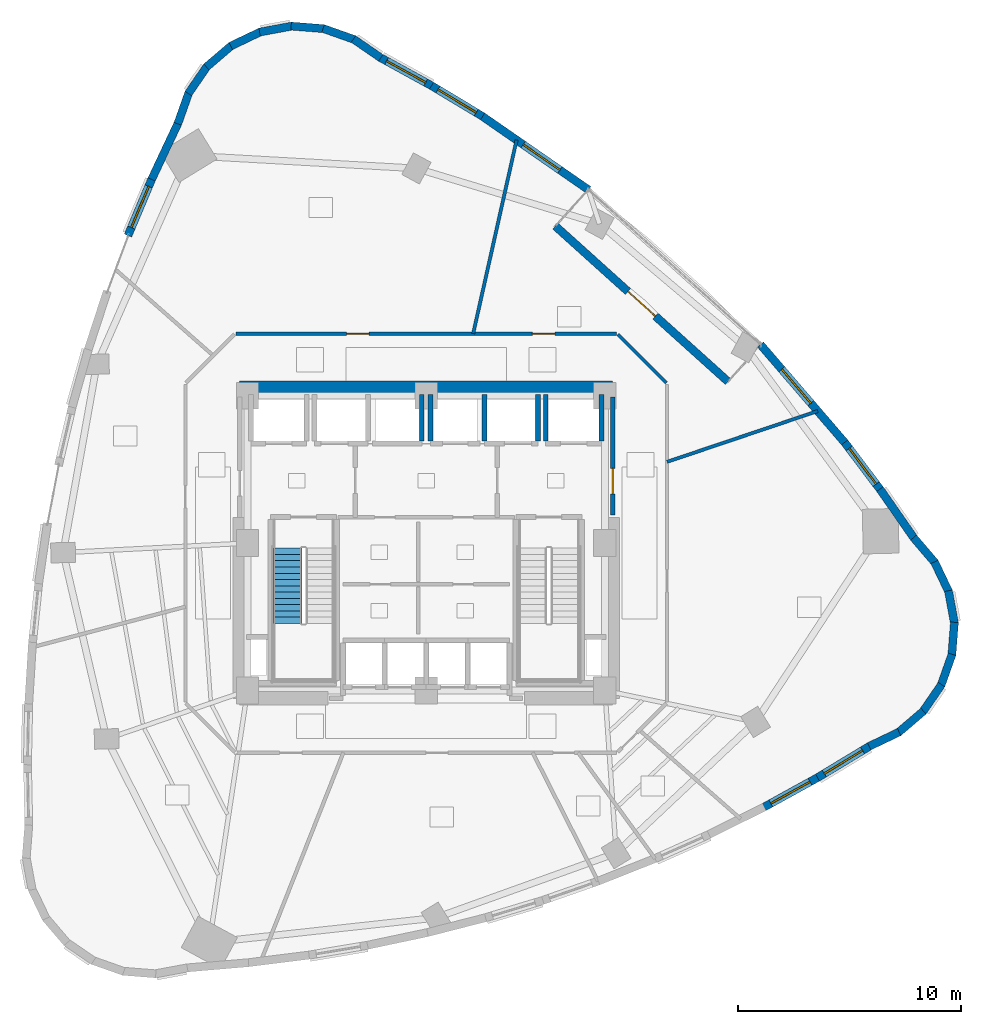
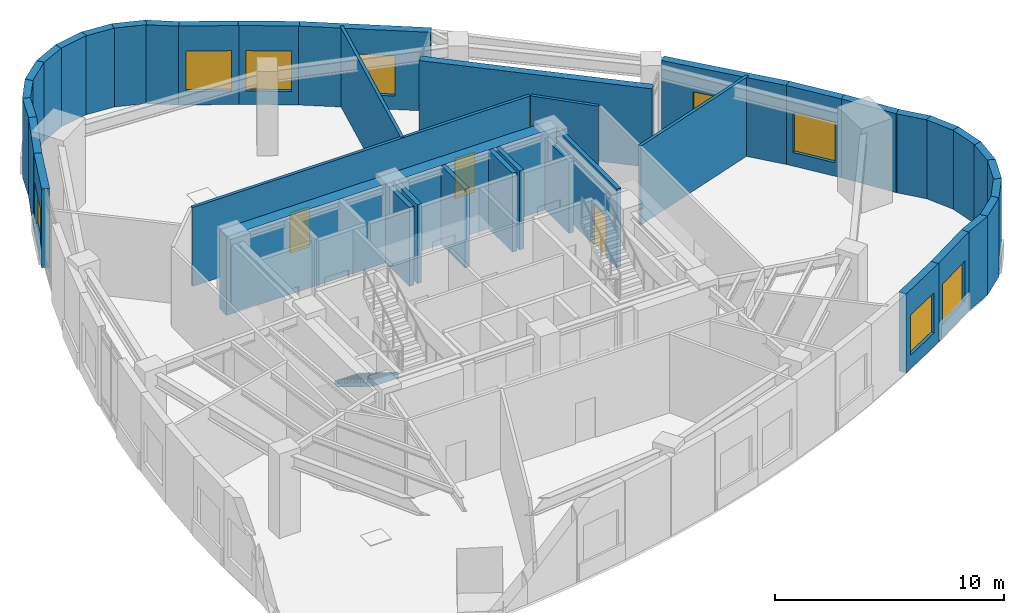
# One storey, part 15 of 19: 39 walls, 8 windows, 4 doors, 1 stair flight, 12 openings, 1 element without a shape of its own.
"""IFC4 building model written with IfcOpenShell, lengths in metres."""

from ifc_helpers import new_model, si_unit, direction, frame, frame_2d, origin, place, context, subcontext, project, spatial, polyline, rectangle, outline, extrude, material, layer, layer_set, type_object, element, fill, aggregate, save


model = new_model("IFC4")

# Units and contexts
model_context = context("Model", 3, precision=1e-05, world=origin(), true_north=direction((0.0, 1.0)))
body_context = subcontext(model_context, "Body", "Model", "MODEL_VIEW")
ifc_project = project(units=[si_unit("LENGTHUNIT", "METRE"), si_unit("AREAUNIT", "SQUARE_METRE"), si_unit("VOLUMEUNIT", "CUBIC_METRE"), si_unit("PLANEANGLEUNIT", "RADIAN"), si_unit("MASSUNIT", "GRAM", prefix="KILO")], contexts=[model_context])

# Site, building, storey
site_placement = place(None, origin())
site = spatial("IfcSite", under=ifc_project, at=site_placement, CompositionType="ELEMENT")
building_placement = place(site_placement, origin())
building = spatial("IfcBuilding", under=site, at=building_placement, Name="Ndelora Gate Hotel", CompositionType="ELEMENT")
storey_placement = place(building_placement, frame((0.0, 0.0, 88.25)))
storey = spatial("IfcBuildingStorey", under=building, at=storey_placement, Name="L21", CompositionType="ELEMENT", Elevation=88.25)

# Wall, opening, door
ifc_material_1 = material(Name="Clay Brick Masonry", Category="masonry")
ifc_layer_1 = layer(ifc_material_1, 0.360107421875)
ifc_layer_set_1 = layer_set([ifc_layer_1], Name="Clay Brick Masonry")
wall_type_1 = type_object("IfcWallType", Name="WL-BRICK-360", PredefinedType="SOLIDWALL", material=ifc_layer_set_1)
wall_1_placement = place(storey_placement, frame((5.781494140625, 14.1923828125, 0.0), z_axis=(0.0, 0.0, 1.0), x_axis=(0.743145885754, -0.6691294288, 0.0)))
wall_1 = element("IfcWall", 1, at=wall_1_placement, inside=storey, type_object=wall_type_1, Name="L21 Sky-Garden Loggia Rear Brick Wall", PredefinedType="SOLIDWALL", context=body_context, shape_type="SweptSolid", body=[
    extrude(rectangle(XDim=10.400146484375, YDim=0.360107421875, at=frame_2d((5.2001953125, 0.0))), origin(), (0.0, 0.0, 1.0), 4.2099609375),
])
opening_1_placement = place(wall_1_placement, frame((4.375, 0.0, 0.0)))
opening_1 = element("IfcOpeningElement", 2, at=opening_1_placement, cuts=wall_1, Name="Opening TD1", PredefinedType="OPENING", context=body_context, shape_type="SweptSolid", body=[
    extrude(rectangle(XDim=1.64990234375, YDim=2.25, at=frame_2d((0.824951171875, 1.125))), frame((0.0, 0.18994140625, 0.0), z_axis=(0.0, -1.0, 0.0), x_axis=(1.0, 0.0, 0.0)), (0.0, 0.0, 1.0), 0.380126953125),
])
ifc_material_2 = material(Name="Architectural Bronze Glazed Door", Category="metal")
door_type_1 = type_object("IfcDoorType", Name="DR-TER-1650", OperationType="DOUBLE_DOOR_SINGLE_SWING", PredefinedType="DOOR", material=ifc_material_2)
door_1_placement = place(opening_1_placement, origin())
door_1 = element("IfcDoor", 3, at=door_1_placement, inside=storey, type_object=door_type_1, Name="L21 Sky-Garden Terrace Double Door TD1", OperationType="DOUBLE_DOOR_SINGLE_SWING", OverallHeight=2.25, OverallWidth=1.64990234375, PredefinedType="DOOR", context=body_context, shape_type="SweptSolid", body=[
    extrude(rectangle(XDim=1.64990234375, YDim=2.25, at=frame_2d((0.824951171875, 1.125))), frame((0.0, 0.02490234375, 0.0), z_axis=(0.0, -1.0, 0.0), x_axis=(1.0, 0.0, 0.0)), (0.0, 0.0, 1.0), 0.050048828125),
])
fill(opening_1, door_1)

# Walls
wall_2_placement = place(storey_placement, frame((-3.259033203125, 22.566650390625, 0.0), z_axis=(0.0, 0.0, 1.0), x_axis=(0.824104250472, -0.566438155808, 0.0)))
element("IfcWall", 4, at=wall_2_placement, inside=storey, type_object=wall_type_1, Name="L21 Tower Brick Pier-and-Spandrel Wall TWR-1", PredefinedType="SOLIDWALL", context=body_context, shape_type="SweptSolid", body=[
    extrude(rectangle(XDim=1.485595703125, YDim=0.360107421875, at=frame_2d((0.74267578125, 0.0))), origin(), (0.0, 0.0, 1.0), 4.2099609375),
])
for number, where, z_axis, x_axis, name in (
    (5, (-4.615478515625, 23.0400390625, 0.0), (0.0, 0.0, 1.0), (0.942671384708, -0.33372243025, 0.0), "L21 Tower Brick Pier-and-Spandrel Wall TWR-2"),
    (6, (-6.048095703125, 23.146484375, 0.0), (0.0, 0.0, 1.0), (0.996910688745, -0.078543482647, 0.0), "L21 Tower Brick Pier-and-Spandrel Wall TWR-3"),
    (7, (-7.459716796875, 22.878173828125, 0.0), (0.0, 0.0, 1.0), (0.983256934468, 0.182224588958, 0.0), "L21 Tower Brick Pier-and-Spandrel Wall TWR-4"),
    (8, (-8.753662109375, 22.25390625, 0.0), (0.0, 0.0, 1.0), (0.902586982789, 0.430507535938, 0.0), "L21 Tower Brick Pier-and-Spandrel Wall TWR-5"),
    (9, (-9.841796875, 21.31591796875, 0.0), (0.0, 0.0, 1.0), (0.760461582144, 0.649382924078, 0.0), "L21 Tower Brick Pier-and-Spandrel Wall TWR-6"),
):
    element("IfcWall", number, at=place(storey_placement, frame(where, z_axis=z_axis, x_axis=x_axis)), inside=storey, type_object=wall_type_1, Name=name, PredefinedType="SOLIDWALL", context=body_context, shape_type="SweptSolid", body=[
        extrude(rectangle(XDim=1.48583984375, YDim=0.360107421875, at=frame_2d((0.742919921875, 0.0))), origin(), (0.0, 0.0, 1.0), 4.2099609375),
    ])
wall_3_placement = place(storey_placement, frame((-10.650146484375, 20.12841796875, 0.0), z_axis=(0.0, 0.0, 1.0), x_axis=(0.566438155808, 0.824104250472, 0.0)))
element("IfcWall", 10, at=wall_3_placement, inside=storey, type_object=wall_type_1, Name="L21 Tower Brick Pier-and-Spandrel Wall TWR-7", PredefinedType="SOLIDWALL", context=body_context, shape_type="SweptSolid", body=[
    extrude(rectangle(XDim=1.485595703125, YDim=0.360107421875, at=frame_2d((0.74267578125, 0.0))), origin(), (0.0, 0.0, 1.0), 4.2099609375),
])
wall_4_placement = place(storey_placement, frame((-11.12353515625, 18.771728515625, 0.0), z_axis=(0.0, 0.0, 1.0), x_axis=(0.333670746008, 0.942689680254, 0.0)))
element("IfcWall", 11, at=wall_4_placement, inside=storey, type_object=wall_type_1, Name="L21 Tower Brick Pier-and-Spandrel Wall TWR-8", PredefinedType="SOLIDWALL", context=body_context, shape_type="SweptSolid", body=[
    extrude(rectangle(XDim=1.486083984375, YDim=0.360107421875, at=frame_2d((0.7431640625, 0.0))), origin(), (0.0, 0.0, 1.0), 4.2099609375),
])
wall_5_placement = place(storey_placement, frame((-12.295654296875, 16.28271484375, 0.0), z_axis=(0.0, 0.0, 1.0), x_axis=(0.425150535828, 0.905122655713, 0.0)))
element("IfcWall", 12, at=wall_5_placement, inside=storey, type_object=wall_type_1, Name="L21 Tower Brick Pier-and-Spandrel Wall TWR-9", PredefinedType="SOLIDWALL", context=body_context, shape_type="SweptSolid", body=[
    extrude(rectangle(XDim=2.80126953125, YDim=0.360107421875, at=frame_2d((1.400634765625, 0.0))), origin(), (0.0, 0.0, 1.0), 4.2099609375),
])

# Wall, opening, window
wall_6_placement = place(storey_placement, frame((-13.352783203125, 13.768310546875, 0.0), z_axis=(0.0, 0.0, 1.0), x_axis=(0.387895881431, 0.921703197981, 0.0)))
wall_6 = element("IfcWall", 13, at=wall_6_placement, inside=storey, type_object=wall_type_1, Name="L21 Tower Brick Pier-and-Spandrel Wall TWR-10", PredefinedType="SOLIDWALL", context=body_context, shape_type="SweptSolid", body=[
    extrude(rectangle(XDim=2.777587890625, YDim=0.360107421875, at=frame_2d((1.388671875, 0.0))), origin(), (0.0, 0.0, 1.0), 4.2099609375),
])
opening_2_placement = place(wall_6_placement, frame((0.388916015625, 0.0, 0.719970703125)))
opening_2 = element("IfcOpeningElement", 14, at=opening_2_placement, cuts=wall_6, Name="Opening W05", PredefinedType="OPENING", context=body_context, shape_type="SweptSolid", body=[
    extrude(rectangle(XDim=2.0, YDim=2.14990234375, at=frame_2d((1.0, 1.074951171875))), frame((0.0, 0.18994140625, 0.0), z_axis=(0.0, -1.0, 0.0), x_axis=(1.0, 0.0, 0.0)), (0.0, 0.0, 1.0), 0.380126953125),
])
ifc_material_3 = material(Name="Insulated Low-E Double Glazing in Bronze Aluminium Frame", Category="aluminium")
window_type = type_object("IfcWindowType", Name="WN-SKY-2000", PartitioningType="SINGLE_PANEL", PredefinedType="WINDOW", material=ifc_material_3)
window_1_placement = place(opening_2_placement, origin())
window_1 = element("IfcWindow", 15, at=window_1_placement, inside=storey, type_object=window_type, Name="L21 Deep-Set Brick-Pier Window W05", OverallHeight=2.14990234375, OverallWidth=2.0, PartitioningType="SINGLE_PANEL", PredefinedType="WINDOW", context=body_context, shape_type="SweptSolid", body=[
    extrude(rectangle(XDim=2.0, YDim=2.14990234375, at=frame_2d((1.0, 1.074951171875))), frame((0.0, 0.030029296875, 0.0), z_axis=(0.0, -1.0, 0.0), x_axis=(1.0, 0.0, 0.0)), (0.0, 0.0, 1.0), 0.06005859375),
])
fill(opening_2, window_1)

wall_7_placement = place(storey_placement, frame((17.52197265625, -10.501220703125, 0.0), z_axis=(0.0, 0.0, 1.0), x_axis=(-0.876024703061, -0.482266233139, 0.0)))
wall_7 = element("IfcWall", 16, at=wall_7_placement, inside=storey, type_object=wall_type_1, Name="L21 Tower Brick Pier-and-Spandrel Wall TWR-39", PredefinedType="SOLIDWALL", context=body_context, shape_type="SweptSolid", body=[
    extrude(rectangle(XDim=2.77783203125, YDim=0.360107421875, at=frame_2d((1.388916015625, 0.0))), origin(), (0.0, 0.0, 1.0), 4.2099609375),
])
opening_3_placement = place(wall_7_placement, frame((0.388916015625, 0.0, 0.719970703125)))
opening_3 = element("IfcOpeningElement", 17, at=opening_3_placement, cuts=wall_7, Name="Opening W05", PredefinedType="OPENING", context=body_context, shape_type="SweptSolid", body=[
    extrude(rectangle(XDim=2.0, YDim=2.14990234375, at=frame_2d((1.0, 1.074951171875))), frame((0.0, 0.18994140625, 0.0), z_axis=(0.0, -1.0, 0.0), x_axis=(1.0, 0.0, 0.0)), (0.0, 0.0, 1.0), 0.380126953125),
])
window_2_placement = place(opening_3_placement, origin())
window_2 = element("IfcWindow", 18, at=window_2_placement, inside=storey, type_object=window_type, Name="L21 Deep-Set Brick-Pier Window W05", OverallHeight=2.14990234375, OverallWidth=2.0, PartitioningType="SINGLE_PANEL", PredefinedType="WINDOW", context=body_context, shape_type="SweptSolid", body=[
    extrude(rectangle(XDim=2.0, YDim=2.14990234375, at=frame_2d((1.0, 1.074951171875))), frame((0.0, 0.030029296875, 0.0), z_axis=(0.0, -1.0, 0.0), x_axis=(1.0, 0.0, 0.0)), (0.0, 0.0, 1.0), 0.06005859375),
])
fill(opening_3, window_2)

wall_8_placement = place(storey_placement, frame((19.875732421875, -9.076904296875, 0.0), z_axis=(0.0, 0.0, 1.0), x_axis=(-0.855749933122, -0.517389651967, 0.0)))
wall_8 = element("IfcWall", 19, at=wall_8_placement, inside=storey, type_object=wall_type_1, Name="L21 Tower Brick Pier-and-Spandrel Wall TWR-40", PredefinedType="SOLIDWALL", context=body_context, shape_type="SweptSolid", body=[
    extrude(rectangle(XDim=2.801025390625, YDim=0.360107421875, at=frame_2d((1.400390625, 0.0))), origin(), (0.0, 0.0, 1.0), 4.2099609375),
])
opening_4_placement = place(wall_8_placement, frame((0.400634765625, 0.0, 0.719970703125)))
opening_4 = element("IfcOpeningElement", 20, at=opening_4_placement, cuts=wall_8, Name="Opening W05", PredefinedType="OPENING", context=body_context, shape_type="SweptSolid", body=[
    extrude(rectangle(XDim=2.0, YDim=2.14990234375, at=frame_2d((1.0, 1.074951171875))), frame((0.0, 0.18994140625, 0.0), z_axis=(0.0, -1.0, 0.0), x_axis=(1.0, 0.0, 0.0)), (0.0, 0.0, 1.0), 0.380126953125),
])
window_3_placement = place(opening_4_placement, origin())
window_3 = element("IfcWindow", 21, at=window_3_placement, inside=storey, type_object=window_type, Name="L21 Deep-Set Brick-Pier Window W05", OverallHeight=2.14990234375, OverallWidth=2.0, PartitioningType="SINGLE_PANEL", PredefinedType="WINDOW", context=body_context, shape_type="SweptSolid", body=[
    extrude(rectangle(XDim=2.0, YDim=2.14990234375, at=frame_2d((1.0, 1.074951171875))), frame((0.0, 0.030029296875, 0.0), z_axis=(0.0, -1.0, 0.0), x_axis=(1.0, 0.0, 0.0)), (0.0, 0.0, 1.0), 0.06005859375),
])
fill(opening_4, window_3)

# Walls
wall_9_placement = place(storey_placement, frame((21.1728515625, -8.460693359375, 0.0), z_axis=(0.0, 0.0, 1.0), x_axis=(-0.902523129088, -0.430641383823, 0.0)))
element("IfcWall", 22, at=wall_9_placement, inside=storey, type_object=wall_type_1, Name="L21 Tower Brick Pier-and-Spandrel Wall TWR-41", PredefinedType="SOLIDWALL", context=body_context, shape_type="SweptSolid", body=[
    extrude(rectangle(XDim=1.48583984375, YDim=0.360107421875, at=frame_2d((0.742919921875, 0.0))), origin(), (0.0, 0.0, 1.0), 4.2099609375),
])
wall_10_placement = place(storey_placement, frame((22.260986328125, -7.52294921875, 0.0), z_axis=(0.0, 0.0, 1.0), x_axis=(-0.760392276745, -0.649464075578, 0.0)))
element("IfcWall", 23, at=wall_10_placement, inside=storey, type_object=wall_type_1, Name="L21 Tower Brick Pier-and-Spandrel Wall TWR-42", PredefinedType="SOLIDWALL", context=body_context, shape_type="SweptSolid", body=[
    extrude(rectangle(XDim=1.485595703125, YDim=0.360107421875, at=frame_2d((0.74267578125, 0.0))), origin(), (0.0, 0.0, 1.0), 4.2099609375),
])
wall_11_placement = place(storey_placement, frame((23.069580078125, -6.335205078125, 0.0), z_axis=(0.0, 0.0, 1.0), x_axis=(-0.56647304132, -0.824080271247, 0.0)))
element("IfcWall", 24, at=wall_11_placement, inside=storey, type_object=wall_type_1, Name="L21 Tower Brick Pier-and-Spandrel Wall TWR-43", PredefinedType="SOLIDWALL", context=body_context, shape_type="SweptSolid", body=[
    extrude(rectangle(XDim=1.486083984375, YDim=0.360107421875, at=frame_2d((0.7431640625, 0.0))), origin(), (0.0, 0.0, 1.0), 4.2099609375),
])
for number, where, z_axis, x_axis, name in (
    (25, (23.54296875, -4.978759765625, 0.0), (0.0, 0.0, 1.0), (-0.33372243025, -0.942671384708, 0.0), "L21 Tower Brick Pier-and-Spandrel Wall TWR-44"),
    (26, (23.649169921875, -3.546142578125, 0.0), (0.0, 0.0, 1.0), (-0.078380176262, -0.996923541687, 0.0), "L21 Tower Brick Pier-and-Spandrel Wall TWR-45"),
    (27, (23.381103515625, -2.134765625, 0.0), (0.0, 0.0, 1.0), (0.182224588958, -0.983256934468, 0.0), "L21 Tower Brick Pier-and-Spandrel Wall TWR-46"),
    (28, (22.756591796875, -0.8408203125, 0.0), (0.0, 0.0, 1.0), (0.430641383823, -0.902523129088, 0.0), "L21 Tower Brick Pier-and-Spandrel Wall TWR-47"),
):
    element("IfcWall", number, at=place(storey_placement, frame(where, z_axis=z_axis, x_axis=x_axis)), inside=storey, type_object=wall_type_1, Name=name, PredefinedType="SOLIDWALL", context=body_context, shape_type="SweptSolid", body=[
        extrude(rectangle(XDim=1.48583984375, YDim=0.360107421875, at=frame_2d((0.742919921875, 0.0))), origin(), (0.0, 0.0, 1.0), 4.2099609375),
    ])
wall_12_placement = place(storey_placement, frame((21.81884765625, 0.247314453125, 0.0), z_axis=(0.0, 0.0, 1.0), x_axis=(0.649464075578, -0.760392276745, 0.0)))
element("IfcWall", 29, at=wall_12_placement, inside=storey, type_object=wall_type_1, Name="L21 Tower Brick Pier-and-Spandrel Wall TWR-48", PredefinedType="SOLIDWALL", context=body_context, shape_type="SweptSolid", body=[
    extrude(rectangle(XDim=1.485595703125, YDim=0.360107421875, at=frame_2d((0.74267578125, 0.0))), origin(), (0.0, 0.0, 1.0), 4.2099609375),
])
wall_13_placement = place(storey_placement, frame((20.313232421875, 2.418212890625, 0.0), z_axis=(0.0, 0.0, 1.0), x_axis=(0.570713634392, -0.821149162771, 0.0)))
element("IfcWall", 30, at=wall_13_placement, inside=storey, type_object=wall_type_1, Name="L21 Tower Brick Pier-and-Spandrel Wall TWR-49", PredefinedType="SOLIDWALL", context=body_context, shape_type="SweptSolid", body=[
    extrude(rectangle(XDim=2.691650390625, YDim=0.360107421875, at=frame_2d((1.345703125, 0.0))), origin(), (0.0, 0.0, 1.0), 4.2099609375),
])

# Wall, opening, window
wall_14_placement = place(storey_placement, frame((18.73486328125, 4.509033203125, 0.0), z_axis=(0.0, 0.0, 1.0), x_axis=(0.602250802705, -0.798306940118, 0.0)))
wall_14 = element("IfcWall", 31, at=wall_14_placement, inside=storey, type_object=wall_type_1, Name="L21 Tower Brick Pier-and-Spandrel Wall TWR-50", PredefinedType="SOLIDWALL", context=body_context, shape_type="SweptSolid", body=[
    extrude(rectangle(XDim=2.669921875, YDim=0.360107421875, at=frame_2d((1.3349609375, 0.0))), origin(), (0.0, 0.0, 1.0), 4.2099609375),
])
opening_5_placement = place(wall_14_placement, frame((0.334716796875, 0.0, 0.719970703125)))
opening_5 = element("IfcOpeningElement", 32, at=opening_5_placement, cuts=wall_14, Name="Opening W05", PredefinedType="OPENING", context=body_context, shape_type="SweptSolid", body=[
    extrude(rectangle(XDim=2.0, YDim=2.14990234375, at=frame_2d((1.0, 1.074951171875))), frame((0.0, 0.18994140625, 0.0), z_axis=(0.0, -1.0, 0.0), x_axis=(1.0, 0.0, 0.0)), (0.0, 0.0, 1.0), 0.380126953125),
])
window_4_placement = place(opening_5_placement, origin())
window_4 = element("IfcWindow", 33, at=window_4_placement, inside=storey, type_object=window_type, Name="L21 Deep-Set Brick-Pier Window W05", OverallHeight=2.14990234375, OverallWidth=2.0, PartitioningType="SINGLE_PANEL", PredefinedType="WINDOW", context=body_context, shape_type="SweptSolid", body=[
    extrude(rectangle(XDim=2.0, YDim=2.14990234375, at=frame_2d((1.0, 1.074951171875))), frame((0.0, 0.030029296875, 0.0), z_axis=(0.0, -1.0, 0.0), x_axis=(1.0, 0.0, 0.0)), (0.0, 0.0, 1.0), 0.06005859375),
])
fill(opening_5, window_4)

wall_15_placement = place(storey_placement, frame((14.966064453125, 8.88720703125, 0.0), z_axis=(0.0, 0.0, 1.0), x_axis=(0.65220496226, -0.758042668458, 0.0)))
wall_15 = element("IfcWall", 34, at=wall_15_placement, inside=storey, type_object=wall_type_1, Name="L21 Tower Brick Pier-and-Spandrel Wall TWR-51", PredefinedType="SOLIDWALL", context=body_context, shape_type="SweptSolid", body=[
    extrude(rectangle(XDim=5.826904296875, YDim=0.360107421875, at=frame_2d((2.91357421875, 0.0))), origin(), (0.0, 0.0, 1.0), 4.2099609375),
])
opening_6_placement = place(wall_15_placement, frame((1.4599609375, 0.0, 0.719970703125)))
opening_6 = element("IfcOpeningElement", 35, at=opening_6_placement, cuts=wall_15, Name="Opening W05", PredefinedType="OPENING", context=body_context, shape_type="SweptSolid", body=[
    extrude(rectangle(XDim=2.0, YDim=2.14990234375, at=frame_2d((1.0, 1.074951171875))), frame((0.0, 0.18994140625, 0.0), z_axis=(0.0, -1.0, 0.0), x_axis=(1.0, 0.0, 0.0)), (0.0, 0.0, 1.0), 0.380126953125),
])
window_5_placement = place(opening_6_placement, origin())
window_5 = element("IfcWindow", 36, at=window_5_placement, inside=storey, type_object=window_type, Name="L21 Deep-Set Brick-Pier Window W05", OverallHeight=2.14990234375, OverallWidth=2.0, PartitioningType="SINGLE_PANEL", PredefinedType="WINDOW", context=body_context, shape_type="SweptSolid", body=[
    extrude(rectangle(XDim=2.0, YDim=2.14990234375, at=frame_2d((1.0, 1.074951171875))), frame((0.0, 0.030029296875, 0.0), z_axis=(0.0, -1.0, 0.0), x_axis=(1.0, 0.0, 0.0)), (0.0, 0.0, 1.0), 0.06005859375),
])
fill(opening_6, window_5)

wall_16_placement = place(storey_placement, frame((2.48388671875, 19.130615234375, 0.0), z_axis=(0.0, 0.0, 1.0), x_axis=(0.82210319234, -0.56933851191, 0.0)))
wall_16 = element("IfcWall", 37, at=wall_16_placement, inside=storey, type_object=wall_type_1, Name="L21 Tower Brick Pier-and-Spandrel Wall TWR-56", PredefinedType="SOLIDWALL", context=body_context, shape_type="SweptSolid", body=[
    extrude(rectangle(XDim=5.8271484375, YDim=0.360107421875, at=frame_2d((2.91357421875, 0.0))), origin(), (0.0, 0.0, 1.0), 4.2099609375),
])
opening_7_placement = place(wall_16_placement, frame((2.260009765625, 0.0, 0.719970703125)))
opening_7 = element("IfcOpeningElement", 38, at=opening_7_placement, cuts=wall_16, Name="Opening W05", PredefinedType="OPENING", context=body_context, shape_type="SweptSolid", body=[
    extrude(rectangle(XDim=2.0, YDim=2.14990234375, at=frame_2d((1.0, 1.074951171875))), frame((0.0, 0.18994140625, 0.0), z_axis=(0.0, -1.0, 0.0), x_axis=(1.0, 0.0, 0.0)), (0.0, 0.0, 1.0), 0.380126953125),
])
window_6_placement = place(opening_7_placement, origin())
window_6 = element("IfcWindow", 39, at=window_6_placement, inside=storey, type_object=window_type, Name="L21 Deep-Set Brick-Pier Window W05", OverallHeight=2.14990234375, OverallWidth=2.0, PartitioningType="SINGLE_PANEL", PredefinedType="WINDOW", context=body_context, shape_type="SweptSolid", body=[
    extrude(rectangle(XDim=2.0, YDim=2.14990234375, at=frame_2d((1.0, 1.074951171875))), frame((0.0, 0.030029296875, 0.0), z_axis=(0.0, -1.0, 0.0), x_axis=(1.0, 0.0, 0.0)), (0.0, 0.0, 1.0), 0.06005859375),
])
fill(opening_7, window_6)

wall_17_placement = place(storey_placement, frame((0.23828125, 20.479736328125, 0.0), z_axis=(0.0, 0.0, 1.0), x_axis=(0.856887148216, -0.515504039967, 0.0)))
wall_17 = element("IfcWall", 40, at=wall_17_placement, inside=storey, type_object=wall_type_1, Name="L21 Tower Brick Pier-and-Spandrel Wall TWR-57", PredefinedType="SOLIDWALL", context=body_context, shape_type="SweptSolid", body=[
    extrude(rectangle(XDim=2.669677734375, YDim=0.360107421875, at=frame_2d((1.3349609375, 0.0))), origin(), (0.0, 0.0, 1.0), 4.2099609375),
])
opening_8_placement = place(wall_17_placement, frame((0.334716796875, 0.0, 0.719970703125)))
opening_8 = element("IfcOpeningElement", 41, at=opening_8_placement, cuts=wall_17, Name="Opening W05", PredefinedType="OPENING", context=body_context, shape_type="SweptSolid", body=[
    extrude(rectangle(XDim=2.0, YDim=2.14990234375, at=frame_2d((1.0, 1.074951171875))), frame((0.0, 0.18994140625, 0.0), z_axis=(0.0, -1.0, 0.0), x_axis=(1.0, 0.0, 0.0)), (0.0, 0.0, 1.0), 0.380126953125),
])
window_7_placement = place(opening_8_placement, origin())
window_7 = element("IfcWindow", 42, at=window_7_placement, inside=storey, type_object=window_type, Name="L21 Deep-Set Brick-Pier Window W05", OverallHeight=2.14990234375, OverallWidth=2.0, PartitioningType="SINGLE_PANEL", PredefinedType="WINDOW", context=body_context, shape_type="SweptSolid", body=[
    extrude(rectangle(XDim=2.0, YDim=2.14990234375, at=frame_2d((1.0, 1.074951171875))), frame((0.0, 0.030029296875, 0.0), z_axis=(0.0, -1.0, 0.0), x_axis=(1.0, 0.0, 0.0)), (0.0, 0.0, 1.0), 0.06005859375),
])
fill(opening_8, window_7)

wall_18_placement = place(storey_placement, frame((-2.0771484375, 21.751220703125, 0.0), z_axis=(0.0, 0.0, 1.0), x_axis=(0.876372895084, -0.48163320978, 0.0)))
wall_18 = element("IfcWall", 43, at=wall_18_placement, inside=storey, type_object=wall_type_1, Name="L21 Tower Brick Pier-and-Spandrel Wall TWR-58", PredefinedType="SOLIDWALL", context=body_context, shape_type="SweptSolid", body=[
    extrude(rectangle(XDim=2.691650390625, YDim=0.360107421875, at=frame_2d((1.345703125, 0.0))), origin(), (0.0, 0.0, 1.0), 4.2099609375),
])
opening_9_placement = place(wall_18_placement, frame((0.345703125, 0.0, 0.719970703125)))
opening_9 = element("IfcOpeningElement", 44, at=opening_9_placement, cuts=wall_18, Name="Opening W05", PredefinedType="OPENING", context=body_context, shape_type="SweptSolid", body=[
    extrude(rectangle(XDim=2.0, YDim=2.14990234375, at=frame_2d((1.0, 1.074951171875))), frame((0.0, 0.18994140625, 0.0), z_axis=(0.0, -1.0, 0.0), x_axis=(1.0, 0.0, 0.0)), (0.0, 0.0, 1.0), 0.380126953125),
])
window_8_placement = place(opening_9_placement, origin())
window_8 = element("IfcWindow", 45, at=window_8_placement, inside=storey, type_object=window_type, Name="L21 Deep-Set Brick-Pier Window W05", OverallHeight=2.14990234375, OverallWidth=2.0, PartitioningType="SINGLE_PANEL", PredefinedType="WINDOW", context=body_context, shape_type="SweptSolid", body=[
    extrude(rectangle(XDim=2.0, YDim=2.14990234375, at=frame_2d((1.0, 1.074951171875))), frame((0.0, 0.030029296875, 0.0), z_axis=(0.0, -1.0, 0.0), x_axis=(1.0, 0.0, 0.0)), (0.0, 0.0, 1.0), 0.06005859375),
])
fill(opening_9, window_8)

# Wall
ifc_material_4 = material(Name="Concrete C60/75", Category="concrete")
ifc_layer_2 = layer(ifc_material_4, 0.60009765625)
ifc_layer_set_2 = layer_set([ifc_layer_2], Name="Concrete C60/75")
wall_type_2 = type_object("IfcWallType", Name="WL-CORE-600", PredefinedType="SHEAR", material=ifc_layer_set_2)
wall_19_placement = place(storey_placement, frame((-8.35009765625, 6.949951171875, 0.0), z_axis=(0.0, 0.0, 1.0), x_axis=(1.0, 0.0, 0.0)))
element("IfcWall", 46, at=wall_19_placement, inside=storey, type_object=wall_type_2, Name="L21 Core Shear Wall N", PredefinedType="SHEAR", context=body_context, shape_type="SweptSolid", body=[
    extrude(rectangle(XDim=16.7001953125, YDim=0.60009765625, at=frame_2d((8.35009765625, 0.0))), origin(), (0.0, 0.0, 1.0), 4.2099609375),
])

# Wall, opening, door
ifc_material_5 = material(Name="Concrete C40/50", Category="concrete")
ifc_layer_3 = layer(ifc_material_5, 0.199951171875)
ifc_layer_set_3 = layer_set([ifc_layer_3], Name="Concrete C40/50")
wall_type_3 = type_object("IfcWallType", Name="WL-FIRE-200", PredefinedType="PARTITIONING", material=ifc_layer_set_3)
wall_20_placement = place(storey_placement, frame((8.35009765625, 1.25, 0.0), z_axis=(0.0, 0.0, 1.0), x_axis=(0.0, 1.0, 0.0)))
wall_20 = element("IfcWall", 47, at=wall_20_placement, inside=storey, type_object=wall_type_3, Name="L21 Interior Wall IW-2", PredefinedType="PARTITIONING", context=body_context, shape_type="SweptSolid", body=[
    extrude(rectangle(XDim=5.300048828125, YDim=0.199951171875, at=frame_2d((2.64990234375, 0.0))), origin(), (0.0, 0.0, 1.0), 4.2099609375),
])
opening_10_placement = place(wall_20_placement, frame((0.949951171875, 0.0, 0.0)))
opening_10 = element("IfcOpeningElement", 48, at=opening_10_placement, cuts=wall_20, Name="Opening FD1", PredefinedType="OPENING", context=body_context, shape_type="SweptSolid", body=[
    extrude(rectangle(XDim=1.14990234375, YDim=2.14990234375, at=frame_2d((0.574951171875, 1.074951171875))), frame((0.0, 0.10986328125, 0.0), z_axis=(0.0, -1.0, 0.0), x_axis=(1.0, 0.0, 0.0)), (0.0, 0.0, 1.0), 0.219970703125),
])
ifc_material_6 = material(Name="Fire-Rated Timber-Veneer Steel Core", Category="steel")
door_type_2 = type_object("IfcDoorType", Name="DR-FD60", OperationType="SINGLE_SWING_LEFT", PredefinedType="DOOR", material=ifc_material_6)
door_2_placement = place(opening_10_placement, origin())
door_2 = element("IfcDoor", 49, at=door_2_placement, inside=storey, type_object=door_type_2, Name="L21 Firefighting Lobby East Corridor Door", OperationType="SINGLE_SWING_RIGHT", OverallHeight=2.14990234375, OverallWidth=1.14990234375, PredefinedType="DOOR", context=body_context, shape_type="SweptSolid", body=[
    extrude(rectangle(XDim=1.14990234375, YDim=2.14990234375, at=frame_2d((0.574951171875, 1.074951171875))), frame((0.0, 0.02490234375, 0.0), z_axis=(0.0, -1.0, 0.0), x_axis=(1.0, 0.0, 0.0)), (0.0, 0.0, 1.0), 0.050048828125),
])
fill(opening_10, door_2)

# Wall
ifc_material_7 = material(Name="Fire-Rated Gypsum Stud Partition", Category="gypsum")
ifc_layer_4 = layer(ifc_material_7, 0.14990234375)
ifc_layer_set_4 = layer_set([ifc_layer_4], Name="Fire-Rated Gypsum Stud Partition")
wall_type_4 = type_object("IfcWallType", Name="WL-PART-150", PredefinedType="PARTITIONING", material=ifc_layer_set_4)
wall_21_placement = place(storey_placement, frame((8.578369140625, 9.351806640625, 0.0), z_axis=(0.0, 0.0, 1.0), x_axis=(0.707067066127, -0.707146494016, 0.0)))
element("IfcWall", 50, at=wall_21_placement, inside=storey, type_object=wall_type_4, Name="L21 Interior Wall IW-5", PredefinedType="PARTITIONING", context=body_context, shape_type="SweptSolid", body=[
    extrude(rectangle(XDim=3.07373046875, YDim=0.14990234375, at=frame_2d((1.536865234375, 0.0))), origin(), (0.0, 0.0, 1.0), 4.2099609375),
])

# Wall, openings, doors
wall_22_placement = place(storey_placement, frame((-8.510009765625, 9.3798828125, 0.0), z_axis=(0.0, 0.0, 1.0), x_axis=(1.0, 0.0, 0.0)))
wall_22 = element("IfcWall", 51, at=wall_22_placement, inside=storey, type_object=wall_type_4, Name="L21 Interior Wall IW-5", PredefinedType="PARTITIONING", context=body_context, shape_type="SweptSolid", body=[
    extrude(rectangle(XDim=17.02001953125, YDim=0.14990234375, at=frame_2d((8.510009765625, 0.0))), origin(), (0.0, 0.0, 1.0), 4.2099609375),
])
opening_11_placement = place(wall_22_placement, frame((13.2666015625, 0.0, 0.0)))
opening_11 = element("IfcOpeningElement", 52, at=opening_11_placement, cuts=wall_22, Name="Opening D01", PredefinedType="OPENING", context=body_context, shape_type="SweptSolid", body=[
    extrude(rectangle(XDim=1.0, YDim=2.14990234375, at=frame_2d((0.5, 1.074951171875))), frame((0.0, 0.0849609375, 0.0), z_axis=(0.0, -1.0, 0.0), x_axis=(1.0, 0.0, 0.0)), (0.0, 0.0, 1.0), 0.169921875),
])
opening_12_placement = place(wall_22_placement, frame((4.948486328125, 0.0, 0.0)))
opening_12 = element("IfcOpeningElement", 53, at=opening_12_placement, cuts=wall_22, Name="Opening D01", PredefinedType="OPENING", context=body_context, shape_type="SweptSolid", body=[
    extrude(rectangle(XDim=1.0, YDim=2.14990234375, at=frame_2d((0.5, 1.074951171875))), frame((0.0, 0.0849609375, 0.0), z_axis=(0.0, -1.0, 0.0), x_axis=(1.0, 0.0, 0.0)), (0.0, 0.0, 1.0), 0.169921875),
])
ifc_material_8 = material(Name="Acoustic Hardwood Guest Entrance Door", Category="wood")
door_type_3 = type_object("IfcDoorType", Name="DR-COR-1000", OperationType="SINGLE_SWING_LEFT", PredefinedType="DOOR", material=ifc_material_8)
door_3_placement = place(opening_11_placement, origin())
door_3 = element("IfcDoor", 54, at=door_3_placement, inside=storey, type_object=door_type_3, Name="L21 Sky Garden Tea Dining Room Entrance Door", OperationType="SINGLE_SWING_RIGHT", OverallHeight=2.14990234375, OverallWidth=1.0, PredefinedType="DOOR", context=body_context, shape_type="SweptSolid", body=[
    extrude(rectangle(XDim=1.0, YDim=2.14990234375, at=frame_2d((0.5, 1.074951171875))), frame((0.0, 0.02490234375, 0.0), z_axis=(0.0, -1.0, 0.0), x_axis=(1.0, 0.0, 0.0)), (0.0, 0.0, 1.0), 0.050048828125),
])
fill(opening_11, door_3)
door_4_placement = place(opening_12_placement, origin())
door_4 = element("IfcDoor", 55, at=door_4_placement, inside=storey, type_object=door_type_3, Name="L21 Highland Espresso Bar Entrance Door", OperationType="SINGLE_SWING_LEFT", OverallHeight=2.14990234375, OverallWidth=1.0, PredefinedType="DOOR", context=body_context, shape_type="SweptSolid", body=[
    extrude(rectangle(XDim=1.0, YDim=2.14990234375, at=frame_2d((0.5, 1.074951171875))), frame((0.0, 0.02490234375, 0.0), z_axis=(0.0, -1.0, 0.0), x_axis=(1.0, 0.0, 0.0)), (0.0, 0.0, 1.0), 0.050048828125),
])
fill(opening_12, door_4)

# Walls
wall_23_placement = place(storey_placement, frame((10.780029296875, 3.635986328125, 0.0), z_axis=(0.0, 0.0, 1.0), x_axis=(0.947556026785, 0.319589699621, 0.0)))
element("IfcWall", 56, at=wall_23_placement, inside=storey, type_object=wall_type_4, Name="L21 Interior Wall IW-5", PredefinedType="PARTITIONING", context=body_context, shape_type="SweptSolid", body=[
    extrude(rectangle(XDim=7.11962890625, YDim=0.14990234375, at=frame_2d((3.559814453125, 0.0))), origin(), (0.0, 0.0, 1.0), 4.2099609375),
])
wall_24_placement = place(storey_placement, frame((2.103271484375, 9.3798828125, 0.0), z_axis=(0.0, 0.0, 1.0), x_axis=(0.218783642084, 0.975773394778, 0.0)))
element("IfcWall", 57, at=wall_24_placement, inside=storey, type_object=wall_type_4, Name="L21 Interior Wall IW-5", PredefinedType="PARTITIONING", context=body_context, shape_type="SweptSolid", body=[
    extrude(rectangle(XDim=8.8837890625, YDim=0.14990234375, at=frame_2d((4.44189453125, 0.0))), origin(), (0.0, 0.0, 1.0), 4.2099609375),
])
ifc_layer_5 = layer(ifc_material_5, 0.219970703125)
ifc_layer_set_5 = layer_set([ifc_layer_5], Name="Concrete C40/50")
wall_type_5 = type_object("IfcWallType", Name="WL-SHAFT-220", PredefinedType="PARTITIONING", material=ifc_layer_set_5)
wall_25_placement = place(storey_placement, frame((5.35009765625, 4.570068359375, 0.0), z_axis=(0.0, 0.0, 1.0), x_axis=(0.0, 1.0, 0.0)))
element("IfcWall", 58, at=wall_25_placement, inside=storey, type_object=wall_type_5, Name="L21 Interior Wall IW-1", PredefinedType="PARTITIONING", context=body_context, shape_type="SweptSolid", body=[
    extrude(rectangle(XDim=2.079833984375, YDim=0.219970703125, at=frame_2d((1.0400390625, 0.0))), origin(), (0.0, 0.0, 1.0), 4.2099609375),
])
wall_26_placement = place(storey_placement, frame((7.85009765625, 4.570068359375, 0.0), z_axis=(0.0, 0.0, 1.0), x_axis=(0.0, 1.0, 0.0)))
element("IfcWall", 59, at=wall_26_placement, inside=storey, type_object=wall_type_5, Name="L21 Interior Wall IW-1", PredefinedType="PARTITIONING", context=body_context, shape_type="SweptSolid", body=[
    extrude(rectangle(XDim=2.079833984375, YDim=0.219970703125, at=frame_2d((1.0400390625, 0.0))), origin(), (0.0, 0.0, 1.0), 3.830078125),
])
for number, where, z_axis, x_axis, name in (
    (60, (2.60009765625, 4.570068359375, 0.0), (0.0, 0.0, 1.0), (0.0, 1.0, 0.0), "L21 Interior Wall IW-1"),
    (61, (5.0, 4.570068359375, 0.0), (0.0, 0.0, 1.0), (0.0, 1.0, 0.0), "L21 Interior Wall IW-1"),
    (62, (-0.199951171875, 4.570068359375, 0.0), (0.0, 0.0, 1.0), (0.0, 1.0, 0.0), "L21 Interior Wall IW-1"),
    (63, (0.199951171875, 4.570068359375, 0.0), (0.0, 0.0, 1.0), (0.0, 1.0, 0.0), "L21 Interior Wall IW-1"),
):
    element("IfcWall", number, at=place(storey_placement, frame(where, z_axis=z_axis, x_axis=x_axis)), inside=storey, type_object=wall_type_5, Name=name, PredefinedType="PARTITIONING", context=body_context, shape_type="SweptSolid", body=[
        extrude(rectangle(XDim=2.079833984375, YDim=0.219970703125, at=frame_2d((1.0400390625, 0.0))), origin(), (0.0, 0.0, 1.0), 4.2099609375),
    ])

# Stair, stair flight
ifc_material_9 = material(Name="Precast concrete C40/50", Category="concrete")
stair_type = type_object("IfcStairType", Name="STR-DOG-CORE", PredefinedType="HALF_TURN_STAIR", material=ifc_material_9)
stair_placement = place(storey_placement, origin())
stair = element("IfcStair", 64, at=stair_placement, inside=storey, type_object=stair_type, Name="L21 Protected Core Exit Stair ST4", PredefinedType="HALF_TURN_STAIR")
stair_flight_type = type_object("IfcStairFlightType", Name="STF-PRECAST", PredefinedType="STRAIGHT", material=ifc_material_9)
stair_flight_placement = place(storey_placement, frame((-6.2099609375, -0.22998046875, 0.0), z_axis=(0.0, 0.0, 1.0), x_axis=(0.0, -1.0, 0.0)))
stair_flight = element("IfcStairFlight", 65, at=stair_flight_placement, type_object=stair_flight_type, Name="ST4 flight 1", NumberOfRisers=13, NumberOfTreads=12, PredefinedType="STRAIGHT", RiserHeight=0.173076923, TreadLength=0.28, context=body_context, shape_type="SweptSolid", body=[
    extrude(outline(polyline([(-0.00048828125, 0.0), (-0.00048828125, 0.173095703125), (0.0, 0.173095703125), (0.280029296875, 0.173095703125), (0.280029296875, 0.34619140625), (0.56005859375, 0.34619140625), (0.56005859375, 0.519287109375), (0.840087890625, 0.519287109375), (0.840087890625, 0.6923828125), (1.1201171875, 0.6923828125), (1.1201171875, 0.865478515625), (1.39990234375, 0.865478515625), (1.39990234375, 1.03857421875), (1.679931640625, 1.03857421875), (1.679931640625, 1.21142578125), (1.9599609375, 1.21142578125), (1.9599609375, 1.384521484375), (2.239990234375, 1.384521484375), (2.239990234375, 1.5576171875), (2.52001953125, 1.5576171875), (2.52001953125, 1.730712890625), (2.800048828125, 1.730712890625), (2.800048828125, 1.90380859375), (3.080078125, 1.90380859375), (3.080078125, 2.076904296875), (3.360107421875, 2.076904296875), (3.360107421875, 2.25), (3.360595703125, 2.25), (3.360595703125, 2.070068359375), (3.360107421875, 1.900634765625), (0.28515625, 0.0), (-0.00048828125, 0.0)])), frame((0.0, 0.64013671875, 0.0), z_axis=(0.0, -1.0, 0.0), x_axis=(1.0, 0.0, 0.0)), (0.0, 0.0, 1.0), 1.280029296875),
])
aggregate(stair, [stair_flight])

save(model, "model.ifc")
